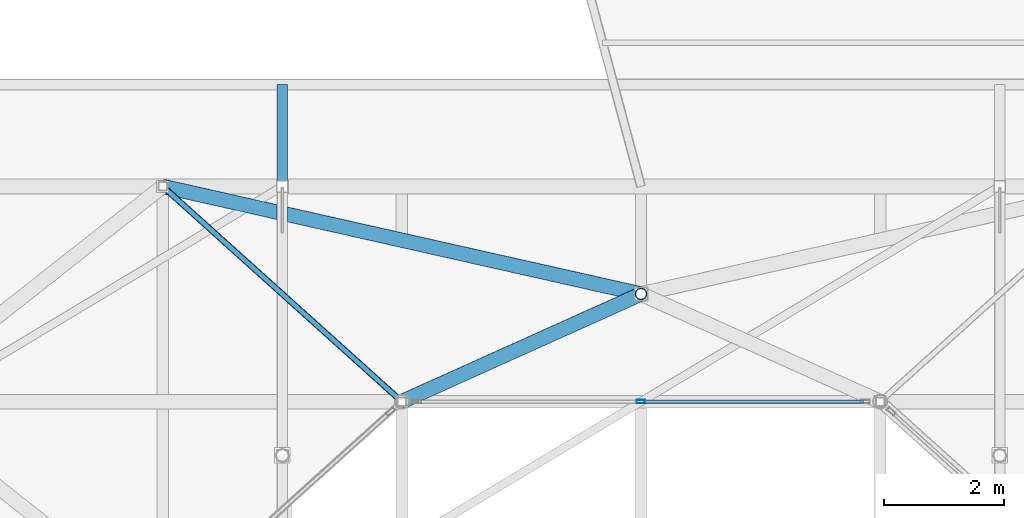
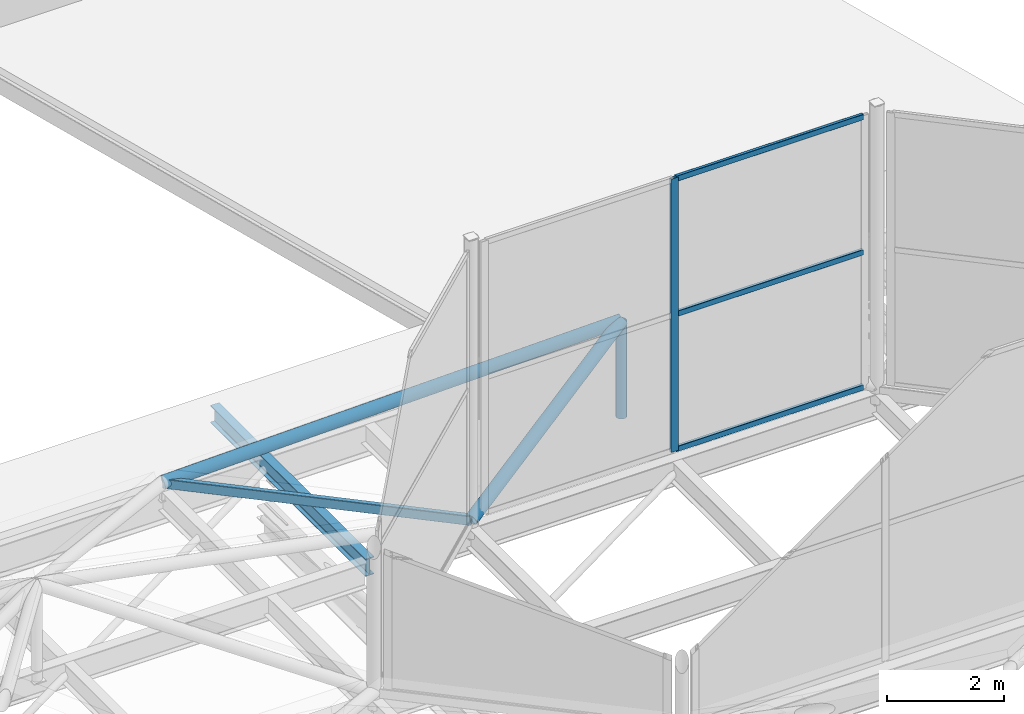
# One storey, part 74 of 239: 7 members, 2 beams, 1 element without a shape of its own.
"""IFC4 building model written with IfcOpenShell, lengths in metres."""

from ifc_helpers import new_model, si_unit, direction, frame, origin, origin_2d, place, context, subcontext, project, spatial, hollow_rectangle, hollow_circle, i_section, extrude, material, layer, layer_set, material_profile, profile_set, type_object, element, aggregate, save


model = new_model("IFC4")

# Units and contexts
model_context = context("Model", 3, precision=1e-05, world=origin(), true_north=direction((0.0, 1.0)))
body_context = subcontext(model_context, "Body", "Model", "MODEL_VIEW")
ifc_project = project(units=[si_unit("LENGTHUNIT", "METRE"), si_unit("AREAUNIT", "SQUARE_METRE"), si_unit("VOLUMEUNIT", "CUBIC_METRE"), si_unit("PLANEANGLEUNIT", "RADIAN"), si_unit("MASSUNIT", "GRAM", prefix="KILO")], contexts=[model_context])

# Site, building, storey
site_placement = place(None, origin())
site = spatial("IfcSite", under=ifc_project, at=site_placement, CompositionType="ELEMENT")
building_placement = place(site_placement, origin())
building = spatial("IfcBuilding", under=site, at=building_placement, Name="Dunvalen Ferry Terminal", CompositionType="ELEMENT")
storey_placement = place(building_placement, frame((0.0, 0.0, 9.840087890625)))
storey = spatial("IfcBuildingStorey", under=building, at=storey_placement, Name="L02", CompositionType="ELEMENT", Elevation=9.840087890625)

# Curtain wall, members
ifc_material_1 = material(Name="Anodised marine aluminium and solar-control glazing", Category="aluminium")
ifc_layer = layer(ifc_material_1, 0.179931640625, Name="Anodised marine aluminium and solar-control glazing")
ifc_layer_set = layer_set([ifc_layer], Name="Anodised marine aluminium and solar-control glazing")
curtain_wall_type = type_object("IfcCurtainWallType", Name="ENV-CW-SYS-05", PredefinedType="NOTDEFINED", material=ifc_layer_set)
curtain_wall_placement = place(storey_placement, origin())
curtain_wall = element("IfcCurtainWall", 1, at=curtain_wall_placement, inside=storey, type_object=curtain_wall_type, Name="L02 Curtain Wall CW-HEX-16-SK-5", PredefinedType="NOTDEFINED")
ifc_material_2 = material(Name="Anodised marine aluminium EN AW-6063 T6", Category="aluminium")
ifc_material_profile_1 = material_profile(ifc_material_2, hollow_rectangle(XDim=0.06005859375, YDim=0.14990234375, WallThickness=0.00341796875, InnerFilletRadius=0.00341796875, OuterFilletRadius=0.007080078125, at=origin_2d()), Name="Anodised marine aluminium EN AW-6063 T6")
ifc_profile_set_1 = profile_set([ifc_material_profile_1], Name="Anodised marine aluminium EN AW-6063 T6")
member_type_1 = type_object("IfcMemberType", Name="ENV-CW-MUL-3", PredefinedType="MULLION", material=ifc_profile_set_1)
member_1_placement = place(storey_placement, frame((30.0, 82.800048828125, 1.139892578125), z_axis=(0.0, 0.0, 1.0), x_axis=(0.0, -1.0, 0.0)))
member_1 = element("IfcMember", 2, at=member_1_placement, type_object=member_type_1, Name="CW-05 mullion 2", PredefinedType="MULLION", context=body_context, shape_type="SweptSolid", body=[
    extrude(hollow_rectangle(XDim=0.06005859375, YDim=0.14990234375, WallThickness=0.00341796875, InnerFilletRadius=0.00341796875, OuterFilletRadius=0.007080078125, at=origin_2d()), origin(), (0.0, 0.0, 1.0), 5.699951171875),
])
ifc_material_profile_2 = material_profile(ifc_material_2, hollow_rectangle(XDim=0.06005859375, YDim=0.114990234375, WallThickness=0.0029296875, InnerFilletRadius=0.0029296875, OuterFilletRadius=0.006103515625, at=origin_2d()), Name="Anodised marine aluminium EN AW-6063 T6")
ifc_profile_set_2 = profile_set([ifc_material_profile_2], Name="Anodised marine aluminium EN AW-6063 T6")
member_type_2 = type_object("IfcMemberType", Name="ENV-CW-TRN-3", PredefinedType="USERDEFINED", material=ifc_profile_set_2)
member_2_placement = place(storey_placement, frame((33.719970703125, 82.800048828125, 1.169921875), z_axis=(-1.0, 0.0, 0.0), x_axis=(0.0, -1.0, 0.0)))
member_2 = element("IfcMember", 3, at=member_2_placement, type_object=member_type_2, Name="CW-05 transom 1.1", ObjectType="TRANSOM", PredefinedType="USERDEFINED", context=body_context, shape_type="SweptSolid", body=[
    extrude(hollow_rectangle(XDim=0.06005859375, YDim=0.114990234375, WallThickness=0.0029296875, InnerFilletRadius=0.0029296875, OuterFilletRadius=0.006103515625, at=origin_2d()), origin(), (0.0, 0.0, 1.0), 3.68994140625),
])
member_3_placement = place(storey_placement, frame((33.719970703125, 82.800048828125, 3.989990234375), z_axis=(-1.0, 0.0, 0.0), x_axis=(0.0, -1.0, 0.0)))
member_3 = element("IfcMember", 4, at=member_3_placement, type_object=member_type_2, Name="CW-05 transom 1.2", ObjectType="TRANSOM", PredefinedType="USERDEFINED", context=body_context, shape_type="SweptSolid", body=[
    extrude(hollow_rectangle(XDim=0.06005859375, YDim=0.114990234375, WallThickness=0.0029296875, InnerFilletRadius=0.0029296875, OuterFilletRadius=0.006103515625, at=origin_2d()), origin(), (0.0, 0.0, 1.0), 3.68994140625),
])
member_4_placement = place(storey_placement, frame((33.719970703125, 82.800048828125, 6.809814453125), z_axis=(-1.0, 0.0, 0.0), x_axis=(0.0, -1.0, 0.0)))
member_4 = element("IfcMember", 5, at=member_4_placement, type_object=member_type_2, Name="CW-05 transom 1.3", ObjectType="TRANSOM", PredefinedType="USERDEFINED", context=body_context, shape_type="SweptSolid", body=[
    extrude(hollow_rectangle(XDim=0.06005859375, YDim=0.114990234375, WallThickness=0.0029296875, InnerFilletRadius=0.0029296875, OuterFilletRadius=0.006103515625, at=origin_2d()), origin(), (0.0, 0.0, 1.0), 3.68994140625),
])
aggregate(curtain_wall, [member_1, member_2, member_3, member_4])

# Beams
ifc_material_3 = material(Name="Steel S355", Category="steel")
ifc_material_profile_3 = material_profile(ifc_material_3, i_section(OverallWidth=0.169921875, OverallDepth=0.360107421875, WebThickness=0.008056640625, FlangeThickness=0.0126953125, FilletRadius=0.01806640625, at=origin_2d()), Name="Steel S355")
ifc_profile_set_3 = profile_set([ifc_material_profile_3], Name="Steel S355")
beam_type_1 = type_object("IfcBeamType", Name="STR-BM-IPE360", PredefinedType="BEAM", material=ifc_profile_set_3)
beam_1_placement = place(storey_placement, frame((24.0, 82.800048828125, 0.81982421875), z_axis=(0.0, 1.0, 0.0), x_axis=(-1.0, 0.0, 0.0)))
element("IfcBeam", 6, at=beam_1_placement, inside=storey, type_object=beam_type_1, Name="Departure Hall North Eave Outrigger 03", PredefinedType="BEAM", context=body_context, shape_type="SweptSolid", body=[
    extrude(i_section(OverallWidth=0.169921875, OverallDepth=0.360107421875, WebThickness=0.008056640625, FlangeThickness=0.0126953125, FilletRadius=0.01806640625, at=origin_2d()), origin(), (0.0, 0.0, 1.0), 5.300048828125),
])
ifc_material_profile_4 = material_profile(ifc_material_3, hollow_rectangle(XDim=0.10009765625, YDim=0.199951171875, WallThickness=0.008056640625, InnerFilletRadius=0.008056640625, OuterFilletRadius=0.01611328125, at=origin_2d()), Name="Steel S355")
ifc_profile_set_4 = profile_set([ifc_material_profile_4], Name="Steel S355")
beam_type_2 = type_object("IfcBeamType", Name="STR-BM-RHS200", PredefinedType="BEAM", material=ifc_profile_set_4)
beam_2_placement = place(storey_placement, frame((26.0, 82.800048828125, 1.099853515625), z_axis=(-0.74330768127, 0.668949692402, 0.0), x_axis=(-0.668949692402, -0.74330768127, 0.0)))
element("IfcBeam", 7, at=beam_2_placement, inside=storey, type_object=beam_type_2, Name="HEX-11 Hexagonal Rim Beam 5", PredefinedType="BEAM", context=body_context, shape_type="SweptSolid", body=[
    extrude(hollow_rectangle(XDim=0.10009765625, YDim=0.199951171875, WallThickness=0.008056640625, InnerFilletRadius=0.008056640625, OuterFilletRadius=0.01611328125, at=origin_2d()), origin(), (0.0, 0.0, 1.0), 5.38134765625),
])

# Members
ifc_material_profile_5 = material_profile(ifc_material_3, hollow_circle(Radius=0.096923828125, WallThickness=0.008056640625, at=origin_2d()), Name="Steel S355")
ifc_profile_set_5 = profile_set([ifc_material_profile_5], Name="Steel S355")
member_type_3 = type_object("IfcMemberType", Name="STR-MB-CHS193", PredefinedType="STRUT", material=ifc_profile_set_5)
member_5_placement = place(storey_placement, frame((30.0, 84.60009765625, 0.77001953125), z_axis=(0.0, 0.0, 1.0), x_axis=(1.0, 0.0, 0.0)))
element("IfcMember", 8, at=member_5_placement, inside=storey, type_object=member_type_3, Name="HEX-17 Pyramid Apex Strut", PredefinedType="STRUT", context=body_context, shape_type="SweptSolid", body=[
    extrude(hollow_circle(Radius=0.096923828125, WallThickness=0.008056640625, at=origin_2d()), origin(), (0.0, 0.0, 1.0), 1.994873046875),
])
ifc_material_profile_6 = material_profile(ifc_material_3, hollow_circle(Radius=0.122314453125, WallThickness=0.010009765625, at=origin_2d()), Name="Steel S355")
ifc_profile_set_6 = profile_set([ifc_material_profile_6], Name="Steel S355")
member_type_4 = type_object("IfcMemberType", Name="STR-MB-CHS244", PredefinedType="STRUT", material=ifc_profile_set_6)
member_6_placement = place(storey_placement, frame((22.0, 86.39990234375, 1.099853515625), z_axis=(0.956103315715, -0.21509990367, 0.198993671056), x_axis=(0.21948952406, 0.97561485681, 0.0)))
element("IfcMember", 9, at=member_6_placement, inside=storey, type_object=member_type_4, Name="HEX-17 Pyramid Hip Rafter 1", PredefinedType="STRUT", context=body_context, shape_type="SweptSolid", body=[
    extrude(hollow_circle(Radius=0.122314453125, WallThickness=0.010009765625, at=origin_2d()), origin(), (0.0, 0.0, 1.0), 8.3671875),
])
member_7_placement = place(storey_placement, frame((26.0, 82.800048828125, 1.099853515625), z_axis=(0.852560097395, 0.383662451056, 0.354886466323), x_axis=(-0.410373934525, 0.91191733938, 0.0)))
element("IfcMember", 10, at=member_7_placement, inside=storey, type_object=member_type_4, Name="HEX-17 Pyramid Hip Rafter 2", PredefinedType="STRUT", context=body_context, shape_type="SweptSolid", body=[
    extrude(hollow_circle(Radius=0.122314453125, WallThickness=0.010009765625, at=origin_2d()), origin(), (0.0, 0.0, 1.0), 4.691650390625),
])

save(model, "model.ifc")
